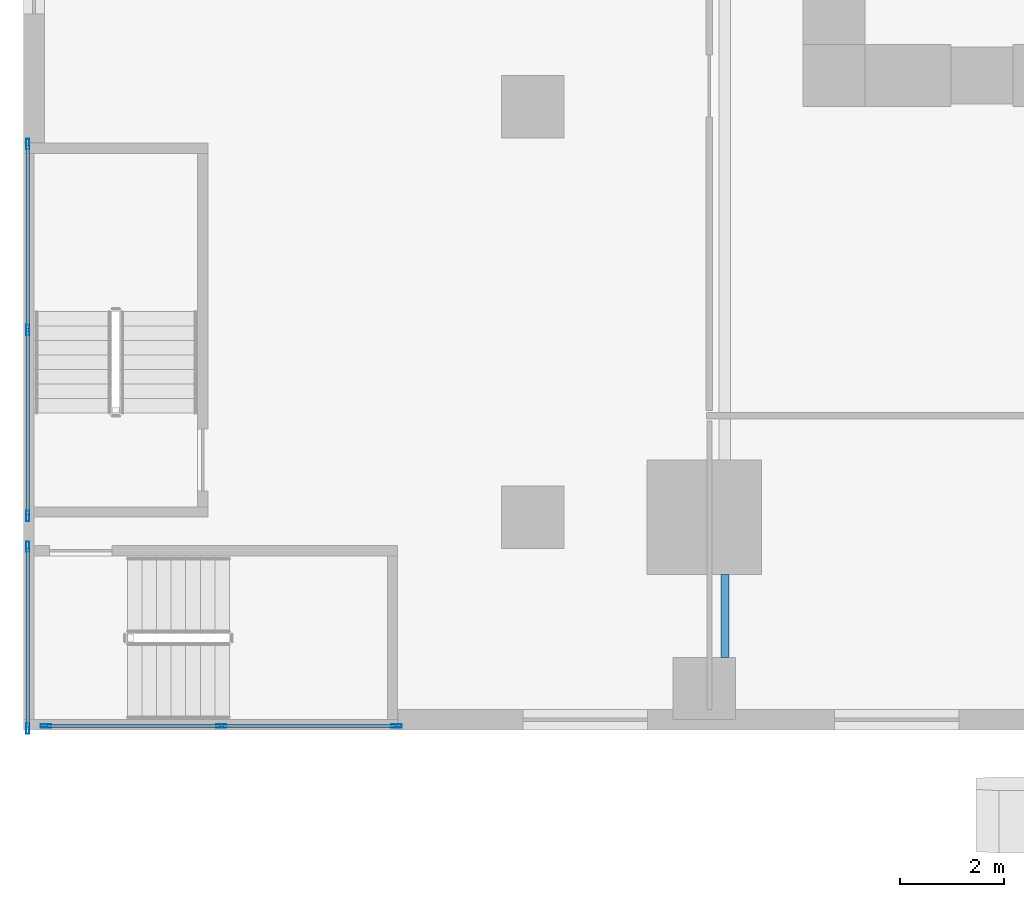
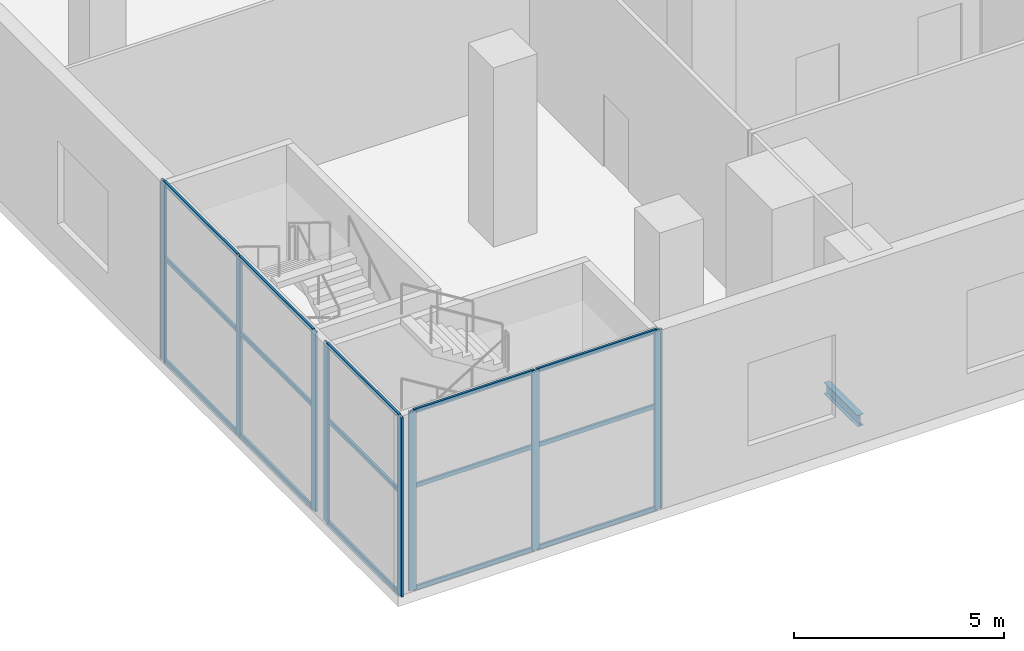
# One storey, part 2 of 23: 23 members, 1 beam, 3 elements without a shape of their own.
"""IFC4 building model written with IfcOpenShell, lengths in metres."""

from ifc_helpers import new_model, si_unit, direction, frame, origin, origin_2d, place, context, subcontext, project, spatial, hollow_rectangle, i_section, extrude, source, transform, mapped, material, material_profile, profile_set, type_object, element, aggregate, save


model = new_model("IFC4")

# Units and contexts
model_context = context("Model", 3, precision=1e-05, world=origin(), true_north=direction((0.0, 1.0)))
body_context = subcontext(model_context, "Body", "Model", "MODEL_VIEW")
ifc_project = project(units=[si_unit("LENGTHUNIT", "METRE"), si_unit("AREAUNIT", "SQUARE_METRE"), si_unit("VOLUMEUNIT", "CUBIC_METRE"), si_unit("PLANEANGLEUNIT", "RADIAN"), si_unit("MASSUNIT", "GRAM", prefix="KILO")], contexts=[model_context])

# Site, building, storey
site_placement = place(None, origin())
site = spatial("IfcSite", under=ifc_project, at=site_placement, CompositionType="ELEMENT")
building_placement = place(site_placement, origin())
building = spatial("IfcBuilding", under=site, at=building_placement, Name="Khomas Fold Tower", CompositionType="ELEMENT")
storey_placement = place(building_placement, frame((0.0, 0.0, 7.5)))
storey = spatial("IfcBuildingStorey", under=building, at=storey_placement, Name="L01", CompositionType="ELEMENT", Elevation=7.5)

# Beam
ifc_material_1 = material(Name="Steel S355", Category="steel")
ifc_material_profile_1 = material_profile(ifc_material_1, i_section(OverallWidth=0.159912109375, OverallDepth=0.330078125, WebThickness=0.007568359375, FlangeThickness=0.011474609375, at=origin_2d()), Name="IPE 330")
ifc_profile_set_1 = profile_set([ifc_material_profile_1], Name="Steel S355")
beam_type = type_object("IfcBeamType", Name="IPE 330 beam JB1", PredefinedType="BEAM", material=ifc_profile_set_1)
shared_shape_1 = source(origin(), body_context, "Body", "SweptSolid", [
    extrude(i_section(OverallWidth=0.159912109375, OverallDepth=0.330078125, WebThickness=0.007568359375, FlangeThickness=0.011474609375, at=origin_2d()), origin(), (0.0, 0.0, 1.0), 1.60009765625),
])
beam_placement = place(storey_placement, frame((4.5, 1.39990234375, -0.465087890625), z_axis=(0.0, 1.0, 0.0), x_axis=(-1.0, 0.0, 0.0)))
element("IfcBeam", 1, at=beam_placement, inside=storey, type_object=beam_type, Name="JB1", PredefinedType="BEAM", context=body_context, shape_type="MappedRepresentation", body=[
    mapped(shared_shape_1, transform((0.0, 0.0, 0.0))),
])

# Curtain wall, members
ifc_material_2 = material(Name="Aluminium framed double glazing", Category="aluminium")
curtain_wall_type = type_object("IfcCurtainWallType", Name="Shopfront glazing PD-CW", PredefinedType="NOTDEFINED", material=ifc_material_2)
curtain_wall_1_placement = place(storey_placement, origin())
curtain_wall_1 = element("IfcCurtainWall", 2, at=curtain_wall_1_placement, inside=storey, type_object=curtain_wall_type, Name="Podium stair-tower glazing", PredefinedType="NOTDEFINED")
ifc_material_3 = material(Name="Aluminium", Category="aluminium")
ifc_material_profile_2 = material_profile(ifc_material_3, hollow_rectangle(XDim=0.06005859375, YDim=0.199951171875, WallThickness=0.00390625, at=origin_2d()), Name="Shopfront glazing mullion PD-CW-M")
ifc_profile_set_2 = profile_set([ifc_material_profile_2], Name="Aluminium")
member_type_1 = type_object("IfcMemberType", Name="Shopfront glazing mullion PD-CW-M", PredefinedType="MULLION", material=ifc_profile_set_2)
shared_shape_2 = source(origin(), body_context, "Body", "SweptSolid", [
    extrude(hollow_rectangle(XDim=0.06005859375, YDim=0.199951171875, WallThickness=0.00390625, at=origin_2d()), origin(), (0.0, 0.0, 1.0), 5.199951171875),
])
member_1_placement = place(storey_placement, frame((-8.919921875, 11.280029296875, 0.0), z_axis=(0.0, 0.0, 1.0), x_axis=(1.0, 0.0, 0.0)))
member_1 = element("IfcMember", 3, at=member_1_placement, type_object=member_type_1, Name="PD-CW mullion 1", PredefinedType="MULLION", context=body_context, shape_type="MappedRepresentation", body=[
    mapped(shared_shape_2, transform((0.0, 0.0, 0.0))),
])
member_2_placement = place(storey_placement, frame((-8.919921875, 7.699951171875, 0.0), z_axis=(0.0, 0.0, 1.0), x_axis=(1.0, 0.0, 0.0)))
member_2 = element("IfcMember", 4, at=member_2_placement, type_object=member_type_1, Name="PD-CW mullion 2", PredefinedType="MULLION", context=body_context, shape_type="MappedRepresentation", body=[
    mapped(shared_shape_2, transform((0.0, 0.0, 0.0))),
])
member_3_placement = place(storey_placement, frame((-8.919921875, 4.1201171875, 0.0), z_axis=(0.0, 0.0, 1.0), x_axis=(1.0, 0.0, 0.0)))
member_3 = element("IfcMember", 5, at=member_3_placement, type_object=member_type_1, Name="PD-CW mullion 3", PredefinedType="MULLION", context=body_context, shape_type="MappedRepresentation", body=[
    mapped(shared_shape_2, transform((0.0, 0.0, 0.0))),
])

curtain_wall_2_placement = place(storey_placement, origin())
curtain_wall_2 = element("IfcCurtainWall", 6, at=curtain_wall_2_placement, inside=storey, type_object=curtain_wall_type, Name="Podium stair-tower glazing", PredefinedType="NOTDEFINED")
member_4_placement = place(storey_placement, frame((-8.919921875, 3.530029296875, 0.0), z_axis=(0.0, 0.0, 1.0), x_axis=(1.0, 0.0, 0.0)))
member_4 = element("IfcMember", 7, at=member_4_placement, type_object=member_type_1, Name="PD-CW mullion 1", PredefinedType="MULLION", context=body_context, shape_type="MappedRepresentation", body=[
    mapped(shared_shape_2, transform((0.0, 0.0, 0.0))),
])
member_5_placement = place(storey_placement, frame((-8.919921875, 0.030029296875, 0.0), z_axis=(0.0, 0.0, 1.0), x_axis=(1.0, 0.0, 0.0)))
member_5 = element("IfcMember", 8, at=member_5_placement, type_object=member_type_1, Name="PD-CW mullion 2", PredefinedType="MULLION", context=body_context, shape_type="MappedRepresentation", body=[
    mapped(shared_shape_2, transform((0.0, 0.0, 0.0))),
])

curtain_wall_3_placement = place(storey_placement, origin())
curtain_wall_3 = element("IfcCurtainWall", 9, at=curtain_wall_3_placement, inside=storey, type_object=curtain_wall_type, Name="Podium stair-tower glazing", PredefinedType="NOTDEFINED")
member_6_placement = place(storey_placement, frame((-8.570068359375, 0.080078125, 0.0), z_axis=(0.0, 0.0, 1.0), x_axis=(0.0, 1.0, 0.0)))
member_6 = element("IfcMember", 10, at=member_6_placement, type_object=member_type_1, Name="PD-CW mullion 1", PredefinedType="MULLION", context=body_context, shape_type="MappedRepresentation", body=[
    mapped(shared_shape_2, transform((0.0, 0.0, 0.0))),
])
member_7_placement = place(storey_placement, frame((-5.195068359375, 0.080078125, 0.0), z_axis=(0.0, 0.0, 1.0), x_axis=(0.0, 1.0, 0.0)))
member_7 = element("IfcMember", 11, at=member_7_placement, type_object=member_type_1, Name="PD-CW mullion 2", PredefinedType="MULLION", context=body_context, shape_type="MappedRepresentation", body=[
    mapped(shared_shape_2, transform((0.0, 0.0, 0.0))),
])
member_8_placement = place(storey_placement, frame((-1.820068359375, 0.080078125, 0.0), z_axis=(0.0, 0.0, 1.0), x_axis=(0.0, 1.0, 0.0)))
member_8 = element("IfcMember", 12, at=member_8_placement, type_object=member_type_1, Name="PD-CW mullion 3", PredefinedType="MULLION", context=body_context, shape_type="MappedRepresentation", body=[
    mapped(shared_shape_2, transform((0.0, 0.0, 0.0))),
])

# Member
ifc_material_4 = material(Name="Aluminium", Category="aluminium")
ifc_material_profile_3 = material_profile(ifc_material_4, hollow_rectangle(XDim=0.06005859375, YDim=0.1201171875, WallThickness=0.00390625, at=origin_2d()), Name="Shopfront glazing transom PD-CW-T")
ifc_profile_set_3 = profile_set([ifc_material_profile_3], Name="Aluminium")
member_type_2 = type_object("IfcMemberType", Name="Shopfront glazing transom PD-CW-T", PredefinedType="USERDEFINED", material=ifc_profile_set_3)
shared_shape_3 = source(origin(), body_context, "Body", "SweptSolid", [
    extrude(hollow_rectangle(XDim=0.06005859375, YDim=0.1201171875, WallThickness=0.00390625, at=origin_2d()), origin(), (0.0, 0.0, 1.0), 3.52001953125),
])
member_9_placement = place(storey_placement, frame((-8.919921875, 11.25, 0.030029296875), z_axis=(0.0, -1.0, 0.0), x_axis=(1.0, 0.0, 0.0)))
member_9 = element("IfcMember", 13, at=member_9_placement, type_object=member_type_2, Name="PD-CW transom 1.1", ObjectType="TRANSOM", PredefinedType="USERDEFINED", context=body_context, shape_type="MappedRepresentation", body=[
    mapped(shared_shape_3, transform((0.0, 0.0, 0.0))),
])

member_10_placement = place(storey_placement, frame((-8.919921875, 11.25, 3.0), z_axis=(0.0, -1.0, 0.0), x_axis=(1.0, 0.0, 0.0)))
member_10 = element("IfcMember", 14, at=member_10_placement, type_object=member_type_2, Name="PD-CW transom 1.2", ObjectType="TRANSOM", PredefinedType="USERDEFINED", context=body_context, shape_type="MappedRepresentation", body=[
    mapped(shared_shape_3, transform((0.0, 0.0, 0.0))),
])

member_11_placement = place(storey_placement, frame((-8.919921875, 11.25, 5.169921875), z_axis=(0.0, -1.0, 0.0), x_axis=(1.0, 0.0, 0.0)))
member_11 = element("IfcMember", 15, at=member_11_placement, type_object=member_type_2, Name="PD-CW transom 1.3", ObjectType="TRANSOM", PredefinedType="USERDEFINED", context=body_context, shape_type="MappedRepresentation", body=[
    mapped(shared_shape_3, transform((0.0, 0.0, 0.0))),
])

member_12_placement = place(storey_placement, frame((-8.919921875, 7.669921875, 0.030029296875), z_axis=(0.0, -1.0, 0.0), x_axis=(1.0, 0.0, 0.0)))
member_12 = element("IfcMember", 16, at=member_12_placement, type_object=member_type_2, Name="PD-CW transom 2.1", ObjectType="TRANSOM", PredefinedType="USERDEFINED", context=body_context, shape_type="MappedRepresentation", body=[
    mapped(shared_shape_3, transform((0.0, 0.0, 0.0))),
])

member_13_placement = place(storey_placement, frame((-8.919921875, 7.669921875, 3.0), z_axis=(0.0, -1.0, 0.0), x_axis=(1.0, 0.0, 0.0)))
member_13 = element("IfcMember", 17, at=member_13_placement, type_object=member_type_2, Name="PD-CW transom 2.2", ObjectType="TRANSOM", PredefinedType="USERDEFINED", context=body_context, shape_type="MappedRepresentation", body=[
    mapped(shared_shape_3, transform((0.0, 0.0, 0.0))),
])

member_14_placement = place(storey_placement, frame((-8.919921875, 7.669921875, 5.169921875), z_axis=(0.0, -1.0, 0.0), x_axis=(1.0, 0.0, 0.0)))
member_14 = element("IfcMember", 18, at=member_14_placement, type_object=member_type_2, Name="PD-CW transom 2.3", ObjectType="TRANSOM", PredefinedType="USERDEFINED", context=body_context, shape_type="MappedRepresentation", body=[
    mapped(shared_shape_3, transform((0.0, 0.0, 0.0))),
])

aggregate(curtain_wall_1, [member_1, member_2, member_3, member_9, member_10, member_11, member_12, member_13, member_14])

shared_shape_4 = source(origin(), body_context, "Body", "SweptSolid", [
    extrude(hollow_rectangle(XDim=0.06005859375, YDim=0.1201171875, WallThickness=0.00390625, at=origin_2d()), origin(), (0.0, 0.0, 1.0), 3.43994140625),
])
member_15_placement = place(storey_placement, frame((-8.919921875, 3.5, 0.030029296875), z_axis=(0.0, -1.0, 0.0), x_axis=(1.0, 0.0, 0.0)))
member_15 = element("IfcMember", 19, at=member_15_placement, type_object=member_type_2, Name="PD-CW transom 1.1", ObjectType="TRANSOM", PredefinedType="USERDEFINED", context=body_context, shape_type="MappedRepresentation", body=[
    mapped(shared_shape_4, transform((0.0, 0.0, 0.0))),
])

member_16_placement = place(storey_placement, frame((-8.919921875, 3.5, 3.0), z_axis=(0.0, -1.0, 0.0), x_axis=(1.0, 0.0, 0.0)))
member_16 = element("IfcMember", 20, at=member_16_placement, type_object=member_type_2, Name="PD-CW transom 1.2", ObjectType="TRANSOM", PredefinedType="USERDEFINED", context=body_context, shape_type="MappedRepresentation", body=[
    mapped(shared_shape_4, transform((0.0, 0.0, 0.0))),
])

member_17_placement = place(storey_placement, frame((-8.919921875, 3.5, 5.169921875), z_axis=(0.0, -1.0, 0.0), x_axis=(1.0, 0.0, 0.0)))
member_17 = element("IfcMember", 21, at=member_17_placement, type_object=member_type_2, Name="PD-CW transom 1.3", ObjectType="TRANSOM", PredefinedType="USERDEFINED", context=body_context, shape_type="MappedRepresentation", body=[
    mapped(shared_shape_4, transform((0.0, 0.0, 0.0))),
])

aggregate(curtain_wall_2, [member_4, member_5, member_15, member_16, member_17])

shared_shape_5 = source(origin(), body_context, "Body", "SweptSolid", [
    extrude(hollow_rectangle(XDim=0.06005859375, YDim=0.1201171875, WallThickness=0.00390625, at=origin_2d()), origin(), (0.0, 0.0, 1.0), 3.31494140625),
])
member_18_placement = place(storey_placement, frame((-8.5400390625, 0.080078125, 0.030029296875), z_axis=(1.0, 0.0, 0.0), x_axis=(0.0, 1.0, 0.0)))
member_18 = element("IfcMember", 22, at=member_18_placement, type_object=member_type_2, Name="PD-CW transom 1.1", ObjectType="TRANSOM", PredefinedType="USERDEFINED", context=body_context, shape_type="MappedRepresentation", body=[
    mapped(shared_shape_5, transform((0.0, 0.0, 0.0))),
])

member_19_placement = place(storey_placement, frame((-8.5400390625, 0.080078125, 3.0), z_axis=(1.0, 0.0, 0.0), x_axis=(0.0, 1.0, 0.0)))
member_19 = element("IfcMember", 23, at=member_19_placement, type_object=member_type_2, Name="PD-CW transom 1.2", ObjectType="TRANSOM", PredefinedType="USERDEFINED", context=body_context, shape_type="MappedRepresentation", body=[
    mapped(shared_shape_5, transform((0.0, 0.0, 0.0))),
])

member_20_placement = place(storey_placement, frame((-8.5400390625, 0.080078125, 5.169921875), z_axis=(1.0, 0.0, 0.0), x_axis=(0.0, 1.0, 0.0)))
member_20 = element("IfcMember", 24, at=member_20_placement, type_object=member_type_2, Name="PD-CW transom 1.3", ObjectType="TRANSOM", PredefinedType="USERDEFINED", context=body_context, shape_type="MappedRepresentation", body=[
    mapped(shared_shape_5, transform((0.0, 0.0, 0.0))),
])

member_21_placement = place(storey_placement, frame((-5.1650390625, 0.080078125, 0.030029296875), z_axis=(1.0, 0.0, 0.0), x_axis=(0.0, 1.0, 0.0)))
member_21 = element("IfcMember", 25, at=member_21_placement, type_object=member_type_2, Name="PD-CW transom 2.1", ObjectType="TRANSOM", PredefinedType="USERDEFINED", context=body_context, shape_type="MappedRepresentation", body=[
    mapped(shared_shape_5, transform((0.0, 0.0, 0.0))),
])

member_22_placement = place(storey_placement, frame((-5.1650390625, 0.080078125, 3.0), z_axis=(1.0, 0.0, 0.0), x_axis=(0.0, 1.0, 0.0)))
member_22 = element("IfcMember", 26, at=member_22_placement, type_object=member_type_2, Name="PD-CW transom 2.2", ObjectType="TRANSOM", PredefinedType="USERDEFINED", context=body_context, shape_type="MappedRepresentation", body=[
    mapped(shared_shape_5, transform((0.0, 0.0, 0.0))),
])

member_23_placement = place(storey_placement, frame((-5.1650390625, 0.080078125, 5.169921875), z_axis=(1.0, 0.0, 0.0), x_axis=(0.0, 1.0, 0.0)))
member_23 = element("IfcMember", 27, at=member_23_placement, type_object=member_type_2, Name="PD-CW transom 2.3", ObjectType="TRANSOM", PredefinedType="USERDEFINED", context=body_context, shape_type="MappedRepresentation", body=[
    mapped(shared_shape_5, transform((0.0, 0.0, 0.0))),
])

aggregate(curtain_wall_3, [member_6, member_7, member_8, member_18, member_19, member_20, member_21, member_22, member_23])

save(model, "model.ifc")
